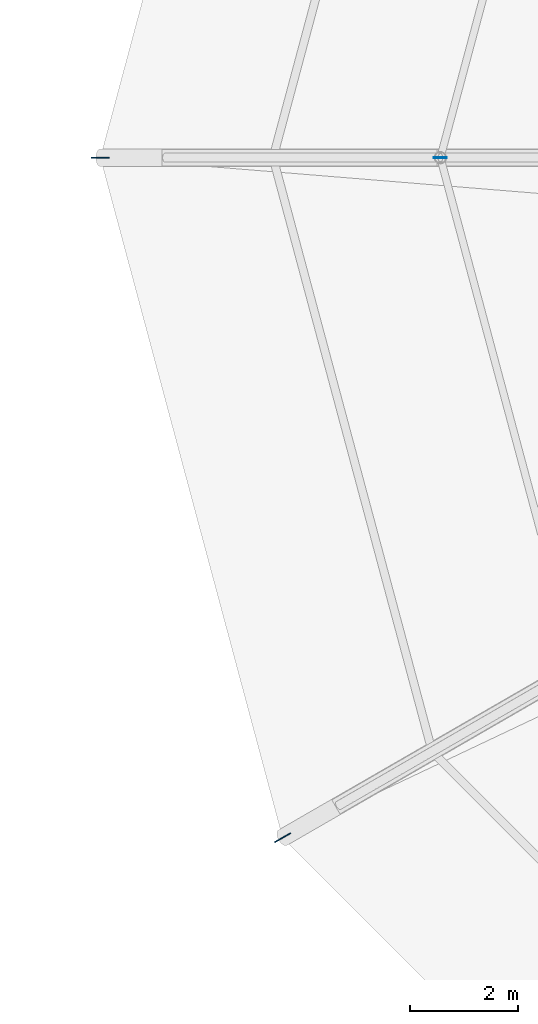
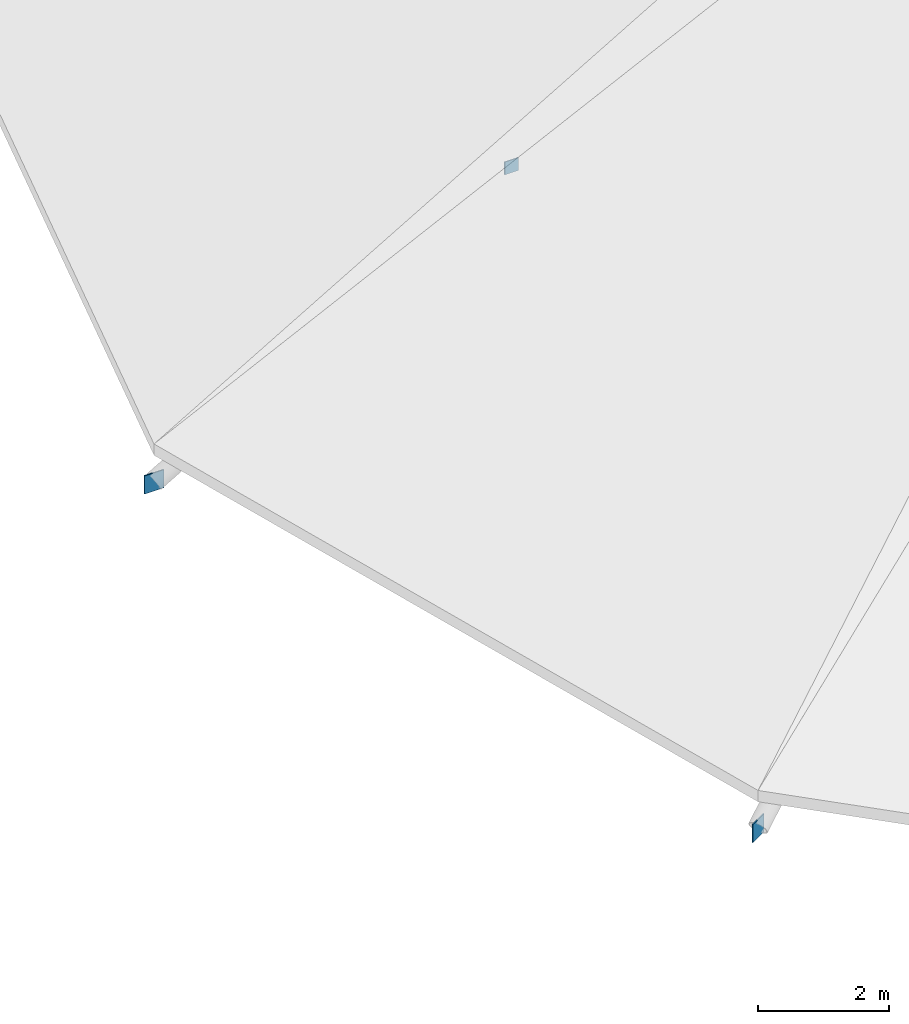
# One storey, part 36 of 58: 3 plates.
"""IFC4 building model written with IfcOpenShell, lengths in metres."""

import ifcopenshell
import ifcopenshell.guid

model = None  # the IFC model being written
_history = None  # IfcOwnerHistory: only IFC2X3 demands one
_inside = {}  # id of a spatial element -> (the spatial element, [elements in it])
_under = {}  # id of a project, library or spatial element -> (it, [spatial elements below it])
_declared = {}  # id of a project -> (the project, [libraries it declares])
_typed = {}  # id of a type object -> (the type object, [elements of that type])
_made_of = {}  # id of a material, layer set ... -> (it, [elements and type objects made of it])


def new_model(schema):
    """Start an empty IFC model of exactly this schema.

    Asked for "IFC4X3", IfcOpenShell would pick the latest addendum, in which some entities
    have other attributes; the version numbers below select the first issue.
    IFC2X3 requires an IfcOwnerHistory on every rooted entity: one is made here for all.
    """
    global model, _history
    if schema == "IFC4X3":
        model = ifcopenshell.file(schema_version=(4, 3, 0, 0))
    else:
        model = ifcopenshell.file(schema=schema)
    _inside.clear()
    _under.clear()
    _declared.clear()
    _typed.clear()
    _made_of.clear()
    _history = None
    if model.schema == "IFC2X3":
        org = make("IfcOrganization", Name="unknown")
        user = make(
            "IfcPersonAndOrganization",
            ThePerson=make("IfcPerson", FamilyName="unknown"),
            TheOrganization=org,
        )
        app = make(
            "IfcApplication",
            ApplicationDeveloper=org,
            Version="unknown",
            ApplicationFullName="unknown",
            ApplicationIdentifier="unknown",
        )
        _history = make(
            "IfcOwnerHistory",
            OwningUser=user,
            OwningApplication=app,
            ChangeAction="ADDED",
            CreationDate=0,
        )
    return model


def make(cls, **values):
    """One entity of the class cls with the attributes given. An attribute that is None is left unset."""
    return model.create_entity(
        cls, **{name: value for name, value in values.items() if value is not None}
    )


def rooted(cls, **values):
    """An entity with a GlobalId (a new one), such as an element, a storey or a relation."""
    return make(cls, GlobalId=ifcopenshell.guid.new(), OwnerHistory=_history, **values)


def si_unit(unit_type, name, prefix=None):
    """IfcSIUnit, for example si_unit("LENGTHUNIT", "METRE", prefix="MILLI")."""
    return make("IfcSIUnit", UnitType=unit_type, Prefix=prefix, Name=name)


def derived_unit(unit_type, elements):
    """IfcDerivedUnit: a product of units, each with its exponent."""
    return make(
        "IfcDerivedUnit",
        Elements=[
            make("IfcDerivedUnitElement", Unit=unit, Exponent=power)
            for unit, power in elements
        ],
        UnitType=unit_type,
    )


def assignment(units):
    """IfcUnitAssignment: the units of a project."""
    return None if units is None else make("IfcUnitAssignment", Units=units)


def point(xyz):
    """IfcCartesianPoint."""
    return None if xyz is None else make("IfcCartesianPoint", Coordinates=xyz)


def direction(xyz):
    """IfcDirection."""
    return None if xyz is None else make("IfcDirection", DirectionRatios=xyz)


def frame(location, z_axis=None, x_axis=None):
    """IfcAxis2Placement3D, a coordinate frame: its origin and axes. An axis left out is left unset."""
    return make(
        "IfcAxis2Placement3D",
        Location=point(location),
        Axis=direction(z_axis),
        RefDirection=direction(x_axis),
    )


def frame_2d(location, x_axis=None):
    """IfcAxis2Placement2D, a coordinate frame in the plane: its origin and x axis."""
    return make(
        "IfcAxis2Placement2D", Location=point(location), RefDirection=direction(x_axis)
    )


def origin():
    """The frame at (0, 0, 0) with its axes left unset."""
    return frame((0.0, 0.0, 0.0))


def origin_2d():
    """The frame at (0, 0) in the plane with its x axis left unset."""
    return frame_2d((0.0, 0.0))


def place(relative_to, where):
    """IfcLocalPlacement: puts the frame where relative to a parent placement (None: the world)."""
    return make(
        "IfcLocalPlacement", PlacementRelTo=relative_to, RelativePlacement=where
    )


def context(
    kind, dimensions, precision=None, world=None, true_north=None, identifier=None
):
    """IfcGeometricRepresentationContext, for example the 3D "Model" context."""
    return make(
        "IfcGeometricRepresentationContext",
        ContextIdentifier=identifier,
        ContextType=kind,
        CoordinateSpaceDimension=dimensions,
        Precision=precision,
        WorldCoordinateSystem=world,
        TrueNorth=true_north,
    )


def subcontext(parent, identifier, kind, view, scale=None):
    """IfcGeometricRepresentationSubContext, for example "Body" below "Model"."""
    return make(
        "IfcGeometricRepresentationSubContext",
        ContextIdentifier=identifier,
        ContextType=kind,
        ParentContext=parent,
        TargetScale=scale,
        TargetView=view,
    )


def project(units=None, contexts=None):
    """IfcProject with its units and contexts."""
    return rooted(
        "IfcProject",
        Name="project",
        RepresentationContexts=contexts,
        UnitsInContext=assignment(units),
    )


def spatial(cls, under=None, at=None, **own):
    """A site, building, storey or space (cls), placed at a placement, below another one or the project."""
    s = rooted(cls, ObjectPlacement=at, **own)
    if under is not None:
        _under.setdefault(under.id(), (under, []))[1].append(s)
    return s


def profile(cls, at=None, kind="AREA", **sizes):
    """A parametric profile (cls). Its sizes go by their IFC names, for example OverallWidth=200.0."""
    return make(cls, ProfileType=kind, Position=at, **sizes)


def rectangle(**sizes):
    """IfcRectangleProfileDef."""
    return profile("IfcRectangleProfileDef", **sizes)


def extrude(swept, where, along, depth):
    """IfcExtrudedAreaSolid: the profile swept, set in the frame where, extruded along a direction by depth."""
    return make(
        "IfcExtrudedAreaSolid",
        SweptArea=swept,
        Position=where,
        ExtrudedDirection=direction(along),
        Depth=depth,
    )


def shape(context_of_items, identifier, shape_type, items):
    """IfcShapeRepresentation: the items that make up one representation, for example the "Body"."""
    return make(
        "IfcShapeRepresentation",
        ContextOfItems=context_of_items,
        RepresentationIdentifier=identifier,
        RepresentationType=shape_type,
        Items=items,
    )


def material(Name=None, Category=None):
    """IfcMaterial."""
    return make("IfcMaterial", Name=Name, Category=Category)


def layer(
    of_material, thickness, ventilated=None, Name=None, Category=None, Priority=None
):
    """IfcMaterialLayer: one layer of a wall or slab, of a material (None: an air gap)."""
    return make(
        "IfcMaterialLayer",
        Material=of_material,
        LayerThickness=thickness,
        IsVentilated=ventilated,
        Name=Name,
        Category=Category,
        Priority=Priority,
    )


def layer_set(layers, Name=None):
    """IfcMaterialLayerSet."""
    return make("IfcMaterialLayerSet", MaterialLayers=layers, LayerSetName=Name)


def made_of(thing, what):
    """Note that an element or type object is made of a material, layer set ...; save() writes the relation."""
    if what is not None:
        _made_of.setdefault(what.id(), (what, []))[1].append(thing)
    return thing


def type_object(cls, material=None, **own):
    """A type object (cls), such as IfcWallType, which elements share."""
    return made_of(rooted(cls, **own), material)


def element(
    cls,
    number,
    at=None,
    inside=None,
    cuts=None,
    type_object=None,
    material=None,
    context=None,
    identifier="Body",
    shape_type=None,
    held_by="IfcProductDefinitionShape",
    body=None,
    shapes=None,
    **own,
):
    """One element of the class cls, such as IfcWall. Its Tag is "e" and its number.

    at: its placement. inside: the storey or other place that contains it. cuts: it is an
    opening in that element (IfcRelVoidsElement). A single representation is given by context,
    identifier, shape_type and body (its items); several are given by shapes. held_by: the class
    of the entity that holds the representations. save() writes the other relations.
    """
    e = rooted(cls, Tag="e%d" % number, ObjectPlacement=at, **own)
    if body is not None:
        shapes = [shape(context, identifier, shape_type, body)]
    if shapes is not None:
        e.Representation = make(held_by, Representations=shapes)
    if inside is not None:
        _inside.setdefault(inside.id(), (inside, []))[1].append(e)
    if cuts is not None:
        rooted(
            "IfcRelVoidsElement", RelatingBuildingElement=cuts, RelatedOpeningElement=e
        )
    if type_object is not None:
        _typed.setdefault(type_object.id(), (type_object, []))[1].append(e)
    return made_of(e, material)


def aggregate(whole, parts):
    """IfcRelAggregates: a whole, such as a stair, and the parts it consists of."""
    return rooted("IfcRelAggregates", RelatingObject=whole, RelatedObjects=parts)


def save(model, path):
    """Write the relations noted so far, then the file.

    IfcRelAggregates (storeys below a building ...), IfcRelContainedInSpatialStructure (elements
    in a storey), IfcRelDefinesByType, IfcRelAssociatesMaterial and IfcRelDeclares: one each for
    every whole, place, type object, material and project.
    """
    for whole, parts in _under.values():
        aggregate(whole, parts)
    for where, things in _inside.values():
        rooted(
            "IfcRelContainedInSpatialStructure",
            RelatedElements=things,
            RelatingStructure=where,
        )
    for kind, things in _typed.values():
        rooted("IfcRelDefinesByType", RelatedObjects=things, RelatingType=kind)
    for what, things in _made_of.values():
        rooted("IfcRelAssociatesMaterial", RelatedObjects=things, RelatingMaterial=what)
    for by, libraries in _declared.values():
        rooted("IfcRelDeclares", RelatingContext=by, RelatedDefinitions=libraries)
    model.write(path)


model = new_model("IFC4")

# Units and contexts
model_context = context("Model", 3, precision=1e-05, world=origin(), true_north=direction((0.0, 1.0)))
body_context = subcontext(model_context, "Body", "Model", "MODEL_VIEW")
ifc_project = project(units=[si_unit("LENGTHUNIT", "METRE"), si_unit("AREAUNIT", "SQUARE_METRE"), si_unit("VOLUMEUNIT", "CUBIC_METRE"), si_unit("PLANEANGLEUNIT", "RADIAN"), si_unit("MASSUNIT", "GRAM", prefix="KILO"), derived_unit("THERMALTRANSMITTANCEUNIT", [(si_unit("POWERUNIT", "WATT"), 1), (si_unit("AREAUNIT", "SQUARE_METRE"), -1), (si_unit("THERMODYNAMICTEMPERATUREUNIT", "KELVIN"), -1)])], contexts=[model_context])

# Site, building, storey
site_placement = place(None, origin())
site = spatial("IfcSite", under=ifc_project, at=site_placement, CompositionType="ELEMENT")
building_placement = place(site_placement, origin())
building = spatial("IfcBuilding", under=site, at=building_placement, Name="Yasenodar Specialist Clinic", CompositionType="ELEMENT")
storey_placement = place(building_placement, frame((0.0, 0.0, 21.300048828125)))
storey = spatial("IfcBuildingStorey", under=building, at=storey_placement, Name="L05", CompositionType="ELEMENT", Elevation=21.300048828125)

# Plates
ifc_material = material(Name="Steel S355", Category="steel")
ifc_layer_1 = layer(ifc_material, 0.02001953125)
ifc_layer_set_1 = layer_set([ifc_layer_1], Name="Steel S355")
plate_type_1 = type_object("IfcPlateType", Name="PL-STEEL-03", PredefinedType="SHEET", material=ifc_layer_set_1)
for number, where, z_axis, x_axis, name in (
    (1, (55.800048828125, 58.800048828125, -0.8701171875), (0.0, 0.0, 1.0), (-1.0, 0.0, 0.0), "L05 Hollow Section End-Cap Plate 0073"),
    (2, (59.17626953125, 46.199951171875, -0.8701171875), (0.0, 0.0, 1.0), (-0.866025403784, -0.5, 0.0), "L05 Hollow Section End-Cap Plate 0078"),
):
    element("IfcPlate", number, at=place(storey_placement, frame(where, z_axis=z_axis, x_axis=x_axis)), inside=storey, type_object=plate_type_1, Name=name, PredefinedType="SHEET", context=body_context, shape_type="SweptSolid", body=[
        extrude(rectangle(XDim=0.340087890625, YDim=0.02001953125, at=origin_2d()), origin(), (0.0, 0.0, 1.0), 0.340087890625),
    ])
ifc_layer_2 = layer(ifc_material, 0.01611328125)
ifc_layer_set_2 = layer_set([ifc_layer_2], Name="Steel S355")
plate_type_2 = type_object("IfcPlateType", Name="PL-STEEL-05", PredefinedType="USERDEFINED", material=ifc_layer_set_2)
plate_placement = place(storey_placement, frame((62.10009765625, 58.800048828125, 2.85498046875), z_axis=(0.0, 0.0, 1.0), x_axis=(-1.0, 0.0, 0.0)))
element("IfcPlate", 3, at=plate_placement, inside=storey, type_object=plate_type_2, Name="L05 Hollow Section End-Cap Plate 0074", ObjectType="CAP_PLATE", PredefinedType="USERDEFINED", context=body_context, shape_type="SweptSolid", body=[
    extrude(rectangle(XDim=0.239990234375, YDim=0.01611328125, at=origin_2d()), origin(), (0.0, 0.0, 1.0), 0.239990234375),
])

save(model, "model.ifc")
